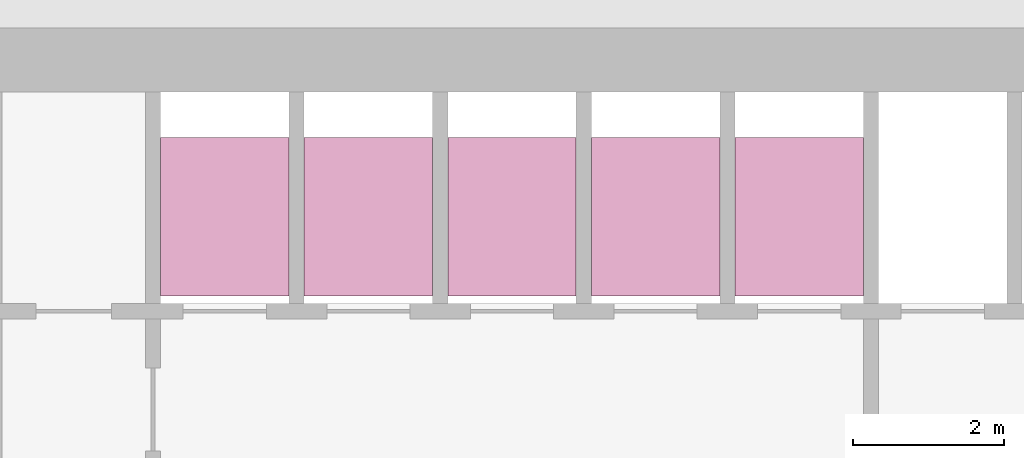
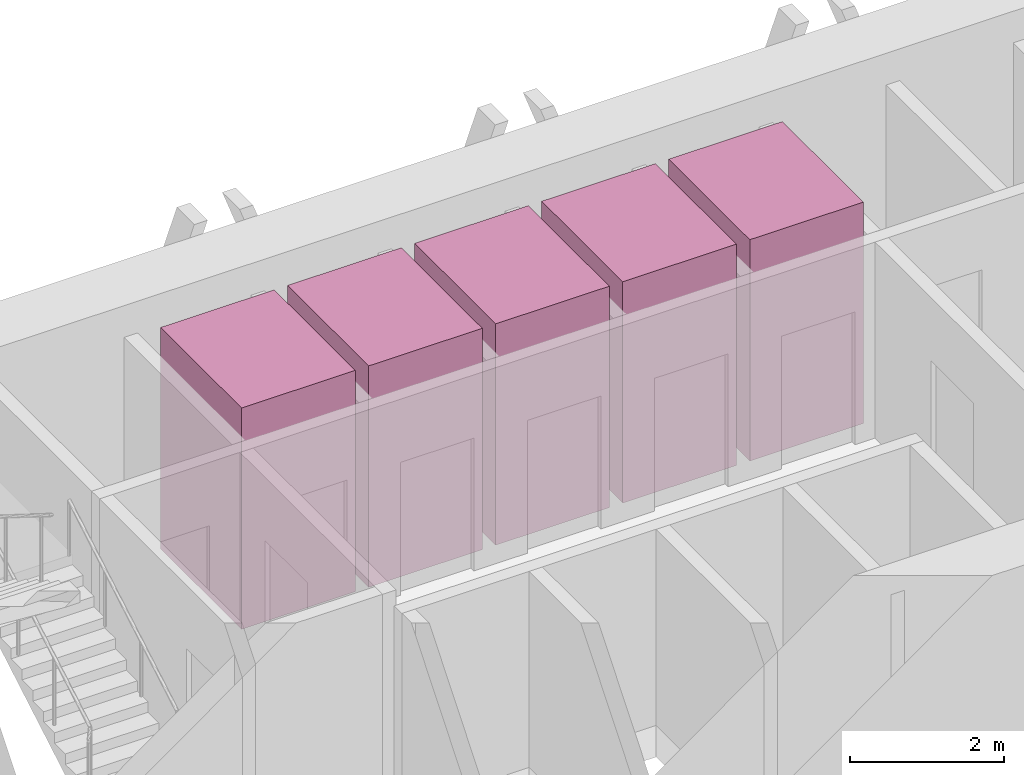
# One storey, part 16 of 16: 5 transport elements.
"""IFC4 building model written with IfcOpenShell, lengths in metres."""

from ifc_helpers import new_model, si_unit, direction, frame, origin, origin_2d, place, context, subcontext, project, spatial, rectangle, extrude, material, type_object, element, save


model = new_model("IFC4")

# Units and contexts
model_context = context("Model", 3, precision=1e-05, world=origin(), true_north=direction((0.0, 1.0)))
body_context = subcontext(model_context, "Body", "Model", "MODEL_VIEW")
ifc_project = project(units=[si_unit("LENGTHUNIT", "METRE"), si_unit("AREAUNIT", "SQUARE_METRE"), si_unit("VOLUMEUNIT", "CUBIC_METRE"), si_unit("PLANEANGLEUNIT", "RADIAN"), si_unit("MASSUNIT", "GRAM", prefix="KILO")], contexts=[model_context])

# Site, building, storey
site_placement = place(None, origin())
site = spatial("IfcSite", under=ifc_project, at=site_placement, CompositionType="ELEMENT")
building_placement = place(site_placement, origin())
building = spatial("IfcBuilding", under=site, at=building_placement, Name="Altiplano Prism Tower", CompositionType="ELEMENT")
storey_placement = place(building_placement, frame((0.0, 0.0, 77.39990234375)))
storey = spatial("IfcBuildingStorey", under=building, at=storey_placement, Name="L19", CompositionType="ELEMENT", Elevation=77.39990234375)

# Transport elements
ifc_material = material(Name="Stainless steel lift car", Category="steel")
transport_element_type = type_object("IfcTransportElementType", Name="Passenger lift car 1600 x 2100", PredefinedType="ELEVATOR", material=ifc_material)
for number, where, z_axis, x_axis, name in (
    (1, (79.050048828125, 101.75, 0.050048828125), (0.0, 0.0, 1.0), (1.0, 0.0, 0.0), "Low Zone Passenger Lift 1"),
    (2, (80.949951171875, 101.75, 0.050048828125), (0.0, 0.0, 1.0), (1.0, 0.0, 0.0), "Low Zone Passenger Lift 2"),
    (3, (82.85009765625, 101.75, 0.050048828125), (0.0, 0.0, 1.0), (1.0, 0.0, 0.0), "Low Zone Passenger Lift 3"),
    (4, (84.75, 101.75, 0.050048828125), (0.0, 0.0, 1.0), (1.0, 0.0, 0.0), "Low Zone Passenger Lift 4"),
    (5, (86.64990234375, 101.75, 0.050048828125), (0.0, 0.0, 1.0), (1.0, 0.0, 0.0), "Low Zone Passenger Lift 5"),
):
    element("IfcTransportElement", number, at=place(storey_placement, frame(where, z_axis=z_axis, x_axis=x_axis)), inside=storey, type_object=transport_element_type, Name=name, PredefinedType="ELEVATOR", context=body_context, shape_type="SweptSolid", body=[
        extrude(rectangle(XDim=1.699951171875, YDim=2.10009765625, at=origin_2d()), origin(), (0.0, 0.0, 1.0), 3.5),
    ])

save(model, "model.ifc")
